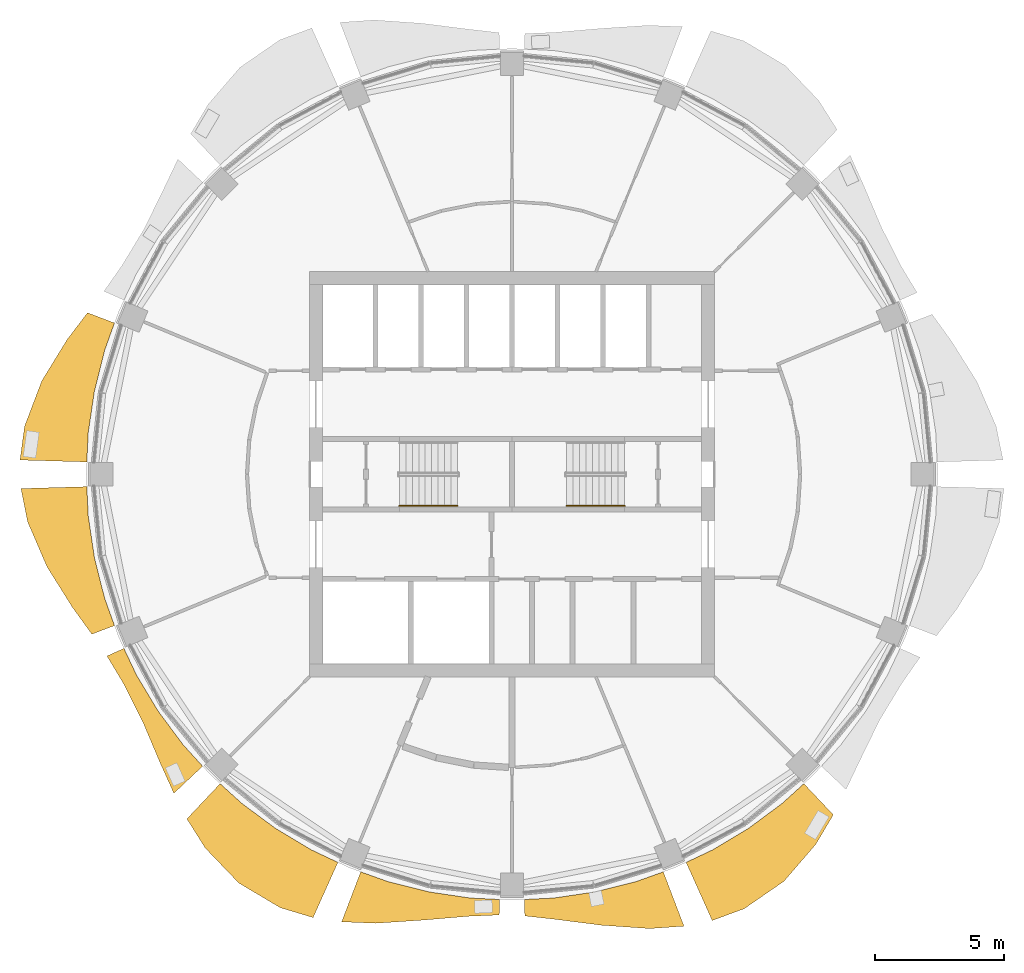
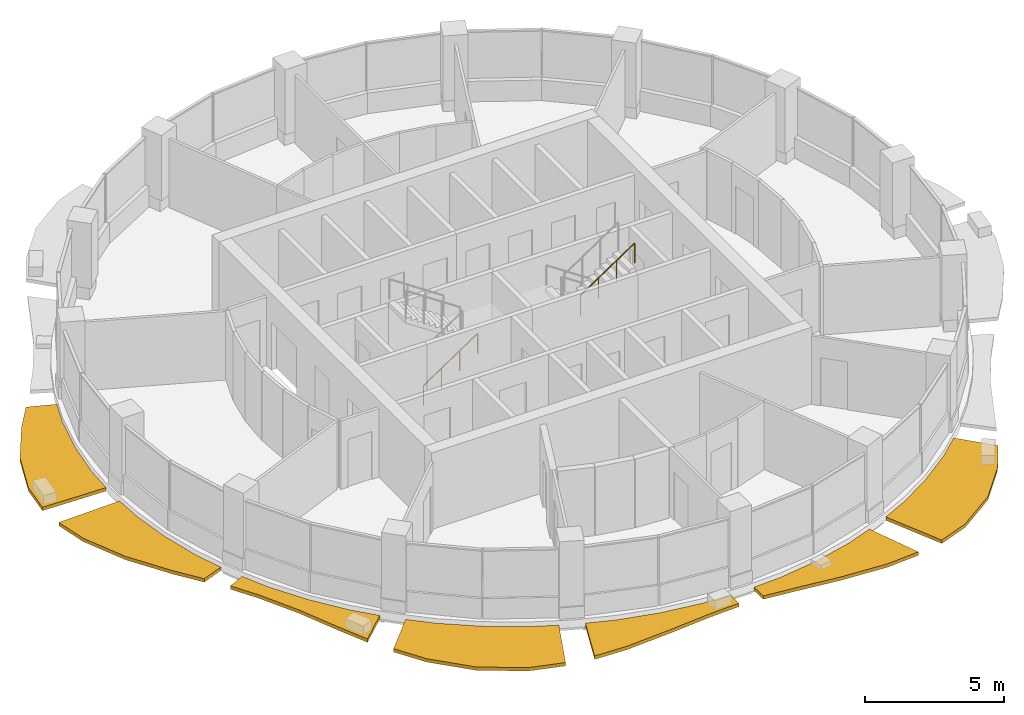
# One storey, part 12 of 15: 7 shading devices, 2 railings.
"""IFC4 building model written with IfcOpenShell, lengths in metres."""

import ifcopenshell
import ifcopenshell.guid

model = None  # the IFC model being written
_history = None  # IfcOwnerHistory: only IFC2X3 demands one
_inside = {}  # id of a spatial element -> (the spatial element, [elements in it])
_under = {}  # id of a project, library or spatial element -> (it, [spatial elements below it])
_declared = {}  # id of a project -> (the project, [libraries it declares])
_typed = {}  # id of a type object -> (the type object, [elements of that type])
_made_of = {}  # id of a material, layer set ... -> (it, [elements and type objects made of it])


def new_model(schema):
    """Start an empty IFC model of exactly this schema.

    Asked for "IFC4X3", IfcOpenShell would pick the latest addendum, in which some entities
    have other attributes; the version numbers below select the first issue.
    IFC2X3 requires an IfcOwnerHistory on every rooted entity: one is made here for all.
    """
    global model, _history
    if schema == "IFC4X3":
        model = ifcopenshell.file(schema_version=(4, 3, 0, 0))
    else:
        model = ifcopenshell.file(schema=schema)
    _inside.clear()
    _under.clear()
    _declared.clear()
    _typed.clear()
    _made_of.clear()
    _history = None
    if model.schema == "IFC2X3":
        org = make("IfcOrganization", Name="unknown")
        user = make(
            "IfcPersonAndOrganization",
            ThePerson=make("IfcPerson", FamilyName="unknown"),
            TheOrganization=org,
        )
        app = make(
            "IfcApplication",
            ApplicationDeveloper=org,
            Version="unknown",
            ApplicationFullName="unknown",
            ApplicationIdentifier="unknown",
        )
        _history = make(
            "IfcOwnerHistory",
            OwningUser=user,
            OwningApplication=app,
            ChangeAction="ADDED",
            CreationDate=0,
        )
    return model


def make(cls, **values):
    """One entity of the class cls with the attributes given. An attribute that is None is left unset."""
    return model.create_entity(
        cls, **{name: value for name, value in values.items() if value is not None}
    )


def rooted(cls, **values):
    """An entity with a GlobalId (a new one), such as an element, a storey or a relation."""
    return make(cls, GlobalId=ifcopenshell.guid.new(), OwnerHistory=_history, **values)


def si_unit(unit_type, name, prefix=None):
    """IfcSIUnit, for example si_unit("LENGTHUNIT", "METRE", prefix="MILLI")."""
    return make("IfcSIUnit", UnitType=unit_type, Prefix=prefix, Name=name)


def assignment(units):
    """IfcUnitAssignment: the units of a project."""
    return None if units is None else make("IfcUnitAssignment", Units=units)


def point(xyz):
    """IfcCartesianPoint."""
    return None if xyz is None else make("IfcCartesianPoint", Coordinates=xyz)


def direction(xyz):
    """IfcDirection."""
    return None if xyz is None else make("IfcDirection", DirectionRatios=xyz)


def frame(location, z_axis=None, x_axis=None):
    """IfcAxis2Placement3D, a coordinate frame: its origin and axes. An axis left out is left unset."""
    return make(
        "IfcAxis2Placement3D",
        Location=point(location),
        Axis=direction(z_axis),
        RefDirection=direction(x_axis),
    )


def frame_2d(location, x_axis=None):
    """IfcAxis2Placement2D, a coordinate frame in the plane: its origin and x axis."""
    return make(
        "IfcAxis2Placement2D", Location=point(location), RefDirection=direction(x_axis)
    )


def origin():
    """The frame at (0, 0, 0) with its axes left unset."""
    return frame((0.0, 0.0, 0.0))


def origin_2d():
    """The frame at (0, 0) in the plane with its x axis left unset."""
    return frame_2d((0.0, 0.0))


def place(relative_to, where):
    """IfcLocalPlacement: puts the frame where relative to a parent placement (None: the world)."""
    return make(
        "IfcLocalPlacement", PlacementRelTo=relative_to, RelativePlacement=where
    )


def context(
    kind, dimensions, precision=None, world=None, true_north=None, identifier=None
):
    """IfcGeometricRepresentationContext, for example the 3D "Model" context."""
    return make(
        "IfcGeometricRepresentationContext",
        ContextIdentifier=identifier,
        ContextType=kind,
        CoordinateSpaceDimension=dimensions,
        Precision=precision,
        WorldCoordinateSystem=world,
        TrueNorth=true_north,
    )


def subcontext(parent, identifier, kind, view, scale=None):
    """IfcGeometricRepresentationSubContext, for example "Body" below "Model"."""
    return make(
        "IfcGeometricRepresentationSubContext",
        ContextIdentifier=identifier,
        ContextType=kind,
        ParentContext=parent,
        TargetScale=scale,
        TargetView=view,
    )


def project(units=None, contexts=None):
    """IfcProject with its units and contexts."""
    return rooted(
        "IfcProject",
        Name="project",
        RepresentationContexts=contexts,
        UnitsInContext=assignment(units),
    )


def spatial(cls, under=None, at=None, **own):
    """A site, building, storey or space (cls), placed at a placement, below another one or the project."""
    s = rooted(cls, ObjectPlacement=at, **own)
    if under is not None:
        _under.setdefault(under.id(), (under, []))[1].append(s)
    return s


def polyline(points):
    """IfcPolyline through the points."""
    return make("IfcPolyline", Points=[point(p) for p in points])


def profile(cls, at=None, kind="AREA", **sizes):
    """A parametric profile (cls). Its sizes go by their IFC names, for example OverallWidth=200.0."""
    return make(cls, ProfileType=kind, Position=at, **sizes)


def circle(**sizes):
    """IfcCircleProfileDef."""
    return profile("IfcCircleProfileDef", **sizes)


def outline(outer, holes=None, kind="AREA"):
    """IfcArbitraryClosedProfileDef: a profile drawn as a closed curve; with holes, ...WithVoids."""
    if holes is None:
        return make("IfcArbitraryClosedProfileDef", ProfileType=kind, OuterCurve=outer)
    return make(
        "IfcArbitraryProfileDefWithVoids",
        ProfileType=kind,
        OuterCurve=outer,
        InnerCurves=holes,
    )


def extrude(swept, where, along, depth):
    """IfcExtrudedAreaSolid: the profile swept, set in the frame where, extruded along a direction by depth."""
    return make(
        "IfcExtrudedAreaSolid",
        SweptArea=swept,
        Position=where,
        ExtrudedDirection=direction(along),
        Depth=depth,
    )


def shape(context_of_items, identifier, shape_type, items):
    """IfcShapeRepresentation: the items that make up one representation, for example the "Body"."""
    return make(
        "IfcShapeRepresentation",
        ContextOfItems=context_of_items,
        RepresentationIdentifier=identifier,
        RepresentationType=shape_type,
        Items=items,
    )


def material(Name=None, Category=None):
    """IfcMaterial."""
    return make("IfcMaterial", Name=Name, Category=Category)


def made_of(thing, what):
    """Note that an element or type object is made of a material, layer set ...; save() writes the relation."""
    if what is not None:
        _made_of.setdefault(what.id(), (what, []))[1].append(thing)
    return thing


def type_object(cls, material=None, **own):
    """A type object (cls), such as IfcWallType, which elements share."""
    return made_of(rooted(cls, **own), material)


def element(
    cls,
    number,
    at=None,
    inside=None,
    cuts=None,
    type_object=None,
    material=None,
    context=None,
    identifier="Body",
    shape_type=None,
    held_by="IfcProductDefinitionShape",
    body=None,
    shapes=None,
    **own,
):
    """One element of the class cls, such as IfcWall. Its Tag is "e" and its number.

    at: its placement. inside: the storey or other place that contains it. cuts: it is an
    opening in that element (IfcRelVoidsElement). A single representation is given by context,
    identifier, shape_type and body (its items); several are given by shapes. held_by: the class
    of the entity that holds the representations. save() writes the other relations.
    """
    e = rooted(cls, Tag="e%d" % number, ObjectPlacement=at, **own)
    if body is not None:
        shapes = [shape(context, identifier, shape_type, body)]
    if shapes is not None:
        e.Representation = make(held_by, Representations=shapes)
    if inside is not None:
        _inside.setdefault(inside.id(), (inside, []))[1].append(e)
    if cuts is not None:
        rooted(
            "IfcRelVoidsElement", RelatingBuildingElement=cuts, RelatedOpeningElement=e
        )
    if type_object is not None:
        _typed.setdefault(type_object.id(), (type_object, []))[1].append(e)
    return made_of(e, material)


def aggregate(whole, parts):
    """IfcRelAggregates: a whole, such as a stair, and the parts it consists of."""
    return rooted("IfcRelAggregates", RelatingObject=whole, RelatedObjects=parts)


def save(model, path):
    """Write the relations noted so far, then the file.

    IfcRelAggregates (storeys below a building ...), IfcRelContainedInSpatialStructure (elements
    in a storey), IfcRelDefinesByType, IfcRelAssociatesMaterial and IfcRelDeclares: one each for
    every whole, place, type object, material and project.
    """
    for whole, parts in _under.values():
        aggregate(whole, parts)
    for where, things in _inside.values():
        rooted(
            "IfcRelContainedInSpatialStructure",
            RelatedElements=things,
            RelatingStructure=where,
        )
    for kind, things in _typed.values():
        rooted("IfcRelDefinesByType", RelatedObjects=things, RelatingType=kind)
    for what, things in _made_of.values():
        rooted("IfcRelAssociatesMaterial", RelatedObjects=things, RelatingMaterial=what)
    for by, libraries in _declared.values():
        rooted("IfcRelDeclares", RelatingContext=by, RelatedDefinitions=libraries)
    model.write(path)


model = new_model("IFC4")

# Units and contexts
model_context = context("Model", 3, precision=1e-05, world=origin(), true_north=direction((0.0, 1.0)))
body_context = subcontext(model_context, "Body", "Model", "MODEL_VIEW")
ifc_project = project(units=[si_unit("LENGTHUNIT", "METRE"), si_unit("AREAUNIT", "SQUARE_METRE"), si_unit("VOLUMEUNIT", "CUBIC_METRE"), si_unit("PLANEANGLEUNIT", "RADIAN"), si_unit("MASSUNIT", "GRAM", prefix="KILO")], contexts=[model_context])

# Site, building, storey
site_placement = place(None, origin())
site = spatial("IfcSite", under=ifc_project, at=site_placement, CompositionType="ELEMENT")
building_placement = place(site_placement, origin())
building = spatial("IfcBuilding", under=site, at=building_placement, Name="Polderwave Tower", CompositionType="ELEMENT")
storey_placement = place(building_placement, frame((0.0, 0.0, 207.75)))
storey = spatial("IfcBuildingStorey", under=building, at=storey_placement, Name="L56", CompositionType="ELEMENT", Elevation=207.75)

# Railings
ifc_material_1 = material(Name="Stainless steel", Category="steel")
railing_type = type_object("IfcRailingType", Name="Stair handrail 900", PredefinedType="HANDRAIL", material=ifc_material_1)
for number, where, name in (
    (1, (-4.3740234375, -1.22509765625, 0.16748046875), "L56 ST-A stair handrail 1"),
    (2, (2.1240234375, -1.22509765625, 1.842529296875), "L56 ST-B stair handrail 2"),
):
    element("IfcRailing", number, at=place(storey_placement, frame(where)), inside=storey, type_object=railing_type, Name=name, PredefinedType="HANDRAIL", context=body_context, shape_type="SweptSolid", body=[
        extrude(circle(Radius=0.02392578125, at=origin_2d()), frame((0.0, 0.0, 0.8759765625), z_axis=(0.830758306289, 0.0, 0.556633305266), x_axis=(0.0, 1.0, 0.0)), (0.0, 0.0, 1.0), 2.708251953125),
        extrude(circle(Radius=0.02099609375, at=origin_2d()), origin(), (0.0, 0.0, 1.0), 0.851806640625),
        extrude(circle(Radius=0.02099609375, at=origin_2d()), frame((0.75, 0.0, 0.50244140625)), (0.0, 0.0, 1.0), 0.851806640625),
        extrude(circle(Radius=0.02099609375, at=origin_2d()), frame((1.5, 0.0, 1.005126953125)), (0.0, 0.0, 1.0), 0.851806640625),
        extrude(circle(Radius=0.02099609375, at=origin_2d()), frame((2.25, 0.0, 1.507568359375)), (0.0, 0.0, 1.0), 0.851806640625),
    ])

# Shading devices
ifc_material_2 = material(Name="Terracotta", Category="masonry")
shading_device_type = type_object("IfcShadingDeviceType", Name="Terracotta sunshade band", PredefinedType="USERDEFINED", material=ifc_material_2)
shading_device_1_placement = place(storey_placement, frame((0.0, 0.0, -0.35009765625)))
element("IfcShadingDevice", 3, at=shading_device_1_placement, inside=storey, type_object=shading_device_type, Name="Sunshade band L56 8", ObjectType="SUNSHADE", PredefinedType="USERDEFINED", context=body_context, shape_type="SweptSolid", body=[
    extrude(outline(polyline([(-15.451904296875, 5.881103515625), (-15.83740234375, 4.80419921875), (-16.23193359375, 3.228759765625), (-16.47021484375, 1.622314453125), (-16.5263671875, 0.479736328125), (-19.123291015625, 0.55517578125), (-18.946044921875, 1.865966796875), (-18.2744140625, 3.635009765625), (-17.28662109375, 5.243896484375), (-16.498779296875, 6.279541015625), (-15.451904296875, 5.881103515625)])), origin(), (0.0, 0.0, 1.0), 0.150146484375),
])
shading_device_2_placement = place(storey_placement, frame((0.0, 0.0, -0.35009765625)))
element("IfcShadingDevice", 4, at=shading_device_2_placement, inside=storey, type_object=shading_device_type, Name="Sunshade band L56 9", ObjectType="SUNSHADE", PredefinedType="USERDEFINED", context=body_context, shape_type="SweptSolid", body=[
    extrude(outline(polyline([(-16.5263671875, -0.479736328125), (-16.47021484375, -1.622314453125), (-16.23193359375, -3.228759765625), (-15.83740234375, -4.80419921875), (-15.451904296875, -5.881103515625), (-16.329833984375, -6.215087890625), (-17.079345703125, -5.180908203125), (-18.07421875, -3.59521484375), (-18.823974609375, -1.85400390625), (-19.085205078125, -0.55419921875), (-16.5263671875, -0.479736328125)])), origin(), (0.0, 0.0, 1.0), 0.150146484375),
])
shading_device_3_placement = place(storey_placement, frame((0.0, 0.0, -0.35009765625)))
element("IfcShadingDevice", 5, at=shading_device_3_placement, inside=storey, type_object=shading_device_type, Name="Sunshade band L56 10", ObjectType="SUNSHADE", PredefinedType="USERDEFINED", context=body_context, shape_type="SweptSolid", body=[
    extrude(outline(polyline([(-15.084716796875, -6.767578125), (-14.595703125, -7.801513671875), (-13.7607421875, -9.194580078125), (-12.793212890625, -10.499267578125), (-12.025146484375, -11.3466796875), (-13.142822265625, -12.401123046875), (-13.67431640625, -11.22216796875), (-14.36279296875, -9.596923828125), (-15.128173828125, -8.086181640625), (-15.744140625, -7.0634765625), (-15.084716796875, -6.767578125)])), origin(), (0.0, 0.0, 1.0), 0.150146484375),
])
shading_device_4_placement = place(storey_placement, frame((0.0, 0.0, -0.35009765625)))
element("IfcShadingDevice", 6, at=shading_device_4_placement, inside=storey, type_object=shading_device_type, Name="Sunshade band L56 11", ObjectType="SUNSHADE", PredefinedType="USERDEFINED", context=body_context, shape_type="SweptSolid", body=[
    extrude(outline(polyline([(-11.3466796875, -12.025146484375), (-10.499267578125, -12.793212890625), (-9.194580078125, -13.7607421875), (-7.801513671875, -14.595703125), (-6.767578125, -15.084716796875), (-7.729736328125, -17.2294921875), (-9.005126953125, -16.84765625), (-10.6171875, -15.889892578125), (-11.9228515625, -14.52783203125), (-12.637451171875, -13.393310546875), (-11.3466796875, -12.025146484375)])), origin(), (0.0, 0.0, 1.0), 0.150146484375),
])
shading_device_5_placement = place(storey_placement, frame((0.0, 0.0, -0.35009765625)))
element("IfcShadingDevice", 7, at=shading_device_5_placement, inside=storey, type_object=shading_device_type, Name="Sunshade band L56 12", ObjectType="SUNSHADE", PredefinedType="USERDEFINED", context=body_context, shape_type="SweptSolid", body=[
    extrude(outline(polyline([(-5.881103515625, -15.451904296875), (-4.80419921875, -15.83740234375), (-3.228759765625, -16.23193359375), (-1.622314453125, -16.47021484375), (-0.479736328125, -16.5263671875), (-0.497314453125, -17.128173828125), (-1.69189453125, -17.17919921875), (-3.44677734375, -17.328125), (-5.29345703125, -17.450439453125), (-6.62109375, -17.39599609375), (-5.881103515625, -15.451904296875)])), origin(), (0.0, 0.0, 1.0), 0.150146484375),
])
shading_device_6_placement = place(storey_placement, frame((0.0, 0.0, -0.35009765625)))
element("IfcShadingDevice", 8, at=shading_device_6_placement, inside=storey, type_object=shading_device_type, Name="Sunshade band L56 13", ObjectType="SUNSHADE", PredefinedType="USERDEFINED", context=body_context, shape_type="SweptSolid", body=[
    extrude(outline(polyline([(0.479736328125, -16.5263671875), (1.622314453125, -16.47021484375), (3.228759765625, -16.23193359375), (4.80419921875, -15.83740234375), (5.881103515625, -15.451904296875), (6.685302734375, -17.56494140625), (5.3564453125, -17.65771484375), (3.486572265625, -17.5283203125), (1.7041015625, -17.30126953125), (0.498291015625, -17.16650390625), (0.479736328125, -16.5263671875)])), origin(), (0.0, 0.0, 1.0), 0.150146484375),
])
shading_device_7_placement = place(storey_placement, frame((0.0, 0.0, -0.35009765625)))
element("IfcShadingDevice", 9, at=shading_device_7_placement, inside=storey, type_object=shading_device_type, Name="Sunshade band L56 14", ObjectType="SUNSHADE", PredefinedType="USERDEFINED", context=body_context, shape_type="SweptSolid", body=[
    extrude(outline(polyline([(6.767578125, -15.084716796875), (7.801513671875, -14.595703125), (9.194580078125, -13.7607421875), (10.499267578125, -12.793212890625), (11.3466796875, -12.025146484375), (12.48828125, -13.235107421875), (11.806396484375, -14.385986328125), (10.5703125, -15.819580078125), (9.025390625, -16.885498046875), (7.78173828125, -17.34521484375), (6.767578125, -15.084716796875)])), origin(), (0.0, 0.0, 1.0), 0.150146484375),
])

save(model, "model.ifc")
